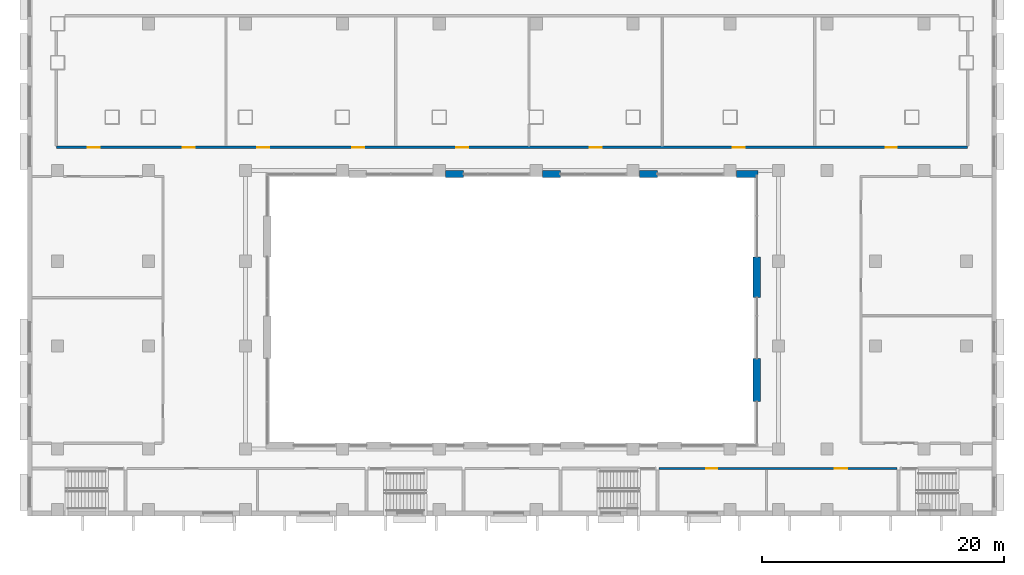
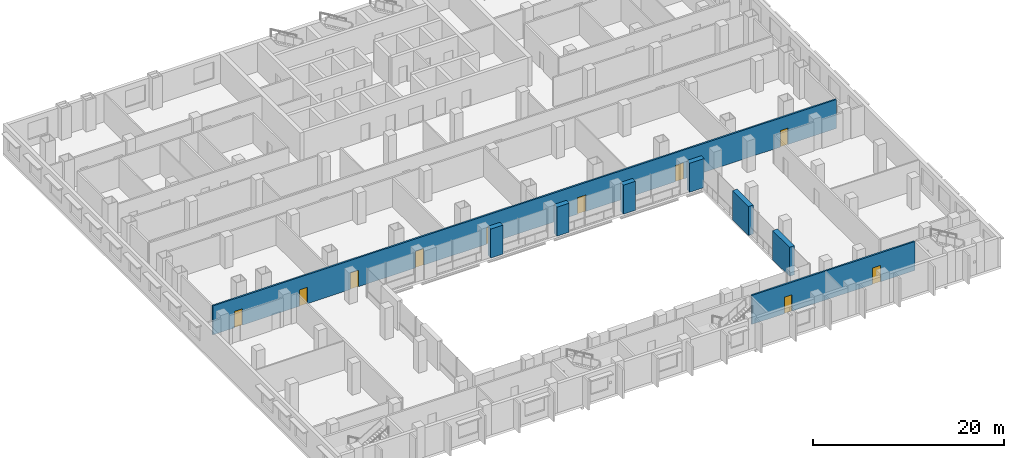
# One storey, part 9 of 25: 10 doors, 8 walls, 10 openings.
"""IFC4 building model written with IfcOpenShell, lengths in metres."""

from ifc_helpers import new_model, si_unit, direction, frame, frame_2d, origin, place, context, subcontext, project, spatial, rectangle, extrude, material, layer, layer_set, type_object, element, fill, save


model = new_model("IFC4")

# Units and contexts
model_context = context("Model", 3, precision=1e-05, world=origin(), true_north=direction((0.0, 1.0)))
body_context = subcontext(model_context, "Body", "Model", "MODEL_VIEW")
ifc_project = project(units=[si_unit("LENGTHUNIT", "METRE"), si_unit("AREAUNIT", "SQUARE_METRE"), si_unit("VOLUMEUNIT", "CUBIC_METRE"), si_unit("PLANEANGLEUNIT", "RADIAN"), si_unit("MASSUNIT", "GRAM", prefix="KILO")], contexts=[model_context])

# Site, building, storey
site_placement = place(None, origin())
site = spatial("IfcSite", under=ifc_project, at=site_placement, CompositionType="ELEMENT")
building_placement = place(site_placement, origin())
building = spatial("IfcBuilding", under=site, at=building_placement, Name="Vidyagriha Tower", CompositionType="ELEMENT")
storey_placement = place(building_placement, frame((0.0, 0.0, 18.0)))
storey = spatial("IfcBuildingStorey", under=building, at=storey_placement, Name="L04", CompositionType="ELEMENT", Elevation=18.0)

# Walls
ifc_material_1 = material(Name="Precast concrete C40/50 with brick facing", Category="concrete")
ifc_layer_1 = layer(ifc_material_1, 0.60009765625)
ifc_layer_set_1 = layer_set([ifc_layer_1], Name="Precast concrete C40/50 with brick facing")
wall_type_1 = type_object("IfcWallType", Name="Brick-faced precast wall 600", PredefinedType="STANDARD", material=ifc_layer_set_1)
for number, where, name in (
    (1, (-5.469970703125, -21.800048828125, 0.0), "Brick door bay wall L04 R09.8"),
    (2, (2.530029296875, -21.800048828125, 0.0), "Brick door bay wall L04 R09.12"),
    (3, (10.530029296875, -21.800048828125, 0.0), "Brick door bay wall L04 R09.16"),
):
    element("IfcWall", number, at=place(storey_placement, frame(where)), inside=storey, type_object=wall_type_1, Name=name, PredefinedType="STANDARD", context=body_context, shape_type="SweptSolid", body=[
        extrude(rectangle(XDim=1.469970703125, YDim=0.60009765625, at=frame_2d((0.73486328125, 0.0))), origin(), (0.0, 0.0, 1.0), 3.699951171875),
    ])
wall_1_placement = place(storey_placement, frame((18.530029296875, -21.800048828125, 0.0)))
element("IfcWall", 4, at=wall_1_placement, inside=storey, type_object=wall_type_1, Name="Brick door bay wall L04 R09.20", PredefinedType="STANDARD", context=body_context, shape_type="SweptSolid", body=[
    extrude(rectangle(XDim=1.75, YDim=0.60009765625, at=frame_2d((0.875, 0.0))), origin(), (0.0, 0.0, 1.0), 3.699951171875),
])
wall_2_placement = place(storey_placement, frame((20.199951171875, -28.626708984375, 0.0), z_axis=(0.0, 0.0, 1.0), x_axis=(0.0, -1.0, 0.0)))
element("IfcWall", 5, at=wall_2_placement, inside=storey, type_object=wall_type_1, Name="Brick door bay wall L04 R10.3", PredefinedType="STANDARD", context=body_context, shape_type="SweptSolid", body=[
    extrude(rectangle(XDim=3.373291015625, YDim=0.60009765625, at=frame_2d((1.6865234375, 0.0))), origin(), (0.0, 0.0, 1.0), 3.699951171875),
])
wall_3_placement = place(storey_placement, frame((20.199951171875, -37.0400390625, 0.0), z_axis=(0.0, 0.0, 1.0), x_axis=(0.0, -1.0, 0.0)))
element("IfcWall", 6, at=wall_3_placement, inside=storey, type_object=wall_type_1, Name="Brick door bay wall L04 R10.6", PredefinedType="STANDARD", context=body_context, shape_type="SweptSolid", body=[
    extrude(rectangle(XDim=3.5400390625, YDim=0.60009765625, at=frame_2d((1.77001953125, 0.0))), origin(), (0.0, 0.0, 1.0), 3.699951171875),
])

# Wall, openings, doors
ifc_material_2 = material(Name="Fire rated gypsum board on light gauge framing")
ifc_layer_2 = layer(ifc_material_2, 0.199951171875)
ifc_layer_set_2 = layer_set([ifc_layer_2], Name="Fire rated gypsum board on light gauge framing")
wall_type_2 = type_object("IfcWallType", Name="Fire Rated Corridor Wall 200", PredefinedType="PARTITIONING", material=ifc_layer_set_2)
wall_4_placement = place(storey_placement, frame((12.125, -46.10009765625, 0.0)))
wall_4 = element("IfcWall", 7, at=wall_4_placement, inside=storey, type_object=wall_type_2, Name="L04 Fire Rated Corridor Wall 200 002", PredefinedType="PARTITIONING", context=body_context, shape_type="SweptSolid", body=[
    extrude(rectangle(XDim=19.64990234375, YDim=0.199951171875, at=frame_2d((9.824951171875, 0.0))), origin(), (0.0, 0.0, 1.0), 3.699951171875),
])
opening_1_placement = place(wall_4_placement, frame((3.925048828125, 0.0, 0.0)))
opening_1 = element("IfcOpeningElement", 8, at=opening_1_placement, cuts=wall_4, Name="Opening D04-26", PredefinedType="OPENING", context=body_context, shape_type="SweptSolid", body=[
    extrude(rectangle(XDim=0.89990234375, YDim=2.10009765625, at=frame_2d((0.449951171875, 1.050048828125))), frame((0.0, 0.10986328125, 0.0), z_axis=(0.0, -1.0, 0.0), x_axis=(1.0, 0.0, 0.0)), (0.0, 0.0, 1.0), 0.219970703125),
])
opening_2_placement = place(wall_4_placement, frame((14.52490234375, 0.0, 0.0)))
opening_2 = element("IfcOpeningElement", 9, at=opening_2_placement, cuts=wall_4, Name="Opening D04-27", PredefinedType="OPENING", context=body_context, shape_type="SweptSolid", body=[
    extrude(rectangle(XDim=1.0, YDim=2.10009765625, at=frame_2d((0.5, 1.050048828125))), frame((0.0, 0.10986328125, 0.0), z_axis=(0.0, -1.0, 0.0), x_axis=(1.0, 0.0, 0.0)), (0.0, 0.0, 1.0), 0.219970703125),
])
ifc_material_3 = material(Name="Steel fire door set", Category="steel")
door_type_1 = type_object("IfcDoorType", Name="Podium Door 1000x2100 EI 30", OperationType="NOTDEFINED", PredefinedType="DOOR", material=ifc_material_3)
door_1_placement = place(opening_2_placement, frame((1.0, 0.0, 0.0), z_axis=(0.0, 0.0, 1.0), x_axis=(-1.0, 0.0, 0.0)))
door_1 = element("IfcDoor", 10, at=door_1_placement, inside=storey, type_object=door_type_1, Name="L04 door D04-27", OperationType="SINGLE_SWING_RIGHT", OverallHeight=2.10009765625, OverallWidth=1.0, PredefinedType="DOOR", context=body_context, shape_type="SweptSolid", body=[
    extrude(rectangle(XDim=1.0, YDim=2.10009765625, at=frame_2d((0.5, 1.050048828125))), frame((0.0, 0.02490234375, 0.0), z_axis=(0.0, -1.0, 0.0), x_axis=(1.0, 0.0, 0.0)), (0.0, 0.0, 1.0), 0.050048828125),
])
fill(opening_2, door_1)
ifc_material_4 = material(Name="Steel fire door set", Category="steel")
door_type_2 = type_object("IfcDoorType", Name="Podium Door 900x2100 EI 30", OperationType="NOTDEFINED", PredefinedType="DOOR", material=ifc_material_4)
door_2_placement = place(opening_1_placement, frame((0.89990234375, 0.0, 0.0), z_axis=(0.0, 0.0, 1.0), x_axis=(-1.0, 0.0, 0.0)))
door_2 = element("IfcDoor", 11, at=door_2_placement, inside=storey, type_object=door_type_2, Name="L04 door D04-26", OperationType="SINGLE_SWING_LEFT", OverallHeight=2.10009765625, OverallWidth=0.89990234375, PredefinedType="DOOR", context=body_context, shape_type="SweptSolid", body=[
    extrude(rectangle(XDim=0.89990234375, YDim=2.10009765625, at=frame_2d((0.449951171875, 1.050048828125))), frame((0.0, 0.02490234375, 0.0), z_axis=(0.0, -1.0, 0.0), x_axis=(1.0, 0.0, 0.0)), (0.0, 0.0, 1.0), 0.050048828125),
])
fill(opening_1, door_2)

wall_5_placement = place(storey_placement, frame((-37.599853515625, -19.60009765625, 0.0)))
wall_5 = element("IfcWall", 12, at=wall_5_placement, inside=storey, type_object=wall_type_2, Name="L04 Fire Rated Corridor Wall 200 021", PredefinedType="PARTITIONING", context=body_context, shape_type="SweptSolid", body=[
    extrude(rectangle(XDim=75.19970703125, YDim=0.199951171875, at=frame_2d((37.599853515625, 0.0))), origin(), (0.0, 0.0, 1.0), 3.699951171875),
])
opening_3_placement = place(wall_5_placement, frame((2.579833984375, 0.0, 0.0)))
opening_3 = element("IfcOpeningElement", 13, at=opening_3_placement, cuts=wall_5, Name="Opening D04-28", PredefinedType="OPENING", context=body_context, shape_type="SweptSolid", body=[
    extrude(rectangle(XDim=1.0, YDim=2.10009765625, at=frame_2d((0.5, 1.050048828125))), frame((0.0, 0.10986328125, 0.0), z_axis=(0.0, -1.0, 0.0), x_axis=(1.0, 0.0, 0.0)), (0.0, 0.0, 1.0), 0.219970703125),
])
opening_4_placement = place(wall_5_placement, frame((10.419921875, 0.0, 0.0)))
opening_4 = element("IfcOpeningElement", 14, at=opening_4_placement, cuts=wall_5, Name="Opening D04-29", PredefinedType="OPENING", context=body_context, shape_type="SweptSolid", body=[
    extrude(rectangle(XDim=1.0, YDim=2.10009765625, at=frame_2d((0.5, 1.050048828125))), frame((0.0, 0.10986328125, 0.0), z_axis=(0.0, -1.0, 0.0), x_axis=(1.0, 0.0, 0.0)), (0.0, 0.0, 1.0), 0.219970703125),
])
opening_5_placement = place(wall_5_placement, frame((16.579833984375, 0.0, 0.0)))
opening_5 = element("IfcOpeningElement", 15, at=opening_5_placement, cuts=wall_5, Name="Opening D04-30", PredefinedType="OPENING", context=body_context, shape_type="SweptSolid", body=[
    extrude(rectangle(XDim=1.0, YDim=2.10009765625, at=frame_2d((0.5, 1.050048828125))), frame((0.0, 0.10986328125, 0.0), z_axis=(0.0, -1.0, 0.0), x_axis=(1.0, 0.0, 0.0)), (0.0, 0.0, 1.0), 0.219970703125),
])
opening_6_placement = place(wall_5_placement, frame((24.419921875, 0.0, 0.0)))
opening_6 = element("IfcOpeningElement", 16, at=opening_6_placement, cuts=wall_5, Name="Opening D04-31", PredefinedType="OPENING", context=body_context, shape_type="SweptSolid", body=[
    extrude(rectangle(XDim=1.0, YDim=2.10009765625, at=frame_2d((0.5, 1.050048828125))), frame((0.0, 0.10986328125, 0.0), z_axis=(0.0, -1.0, 0.0), x_axis=(1.0, 0.0, 0.0)), (0.0, 0.0, 1.0), 0.219970703125),
])
opening_7_placement = place(wall_5_placement, frame((33.0, 0.0, 0.0)))
opening_7 = element("IfcOpeningElement", 17, at=opening_7_placement, cuts=wall_5, Name="Opening D04-32", PredefinedType="OPENING", context=body_context, shape_type="SweptSolid", body=[
    extrude(rectangle(XDim=1.0, YDim=2.10009765625, at=frame_2d((0.5, 1.050048828125))), frame((0.0, 0.10986328125, 0.0), z_axis=(0.0, -1.0, 0.0), x_axis=(1.0, 0.0, 0.0)), (0.0, 0.0, 1.0), 0.219970703125),
])
opening_8_placement = place(wall_5_placement, frame((44.0, 0.0, 0.0)))
opening_8 = element("IfcOpeningElement", 18, at=opening_8_placement, cuts=wall_5, Name="Opening D04-33", PredefinedType="OPENING", context=body_context, shape_type="SweptSolid", body=[
    extrude(rectangle(XDim=1.0, YDim=2.10009765625, at=frame_2d((0.5, 1.050048828125))), frame((0.0, 0.10986328125, 0.0), z_axis=(0.0, -1.0, 0.0), x_axis=(1.0, 0.0, 0.0)), (0.0, 0.0, 1.0), 0.219970703125),
])
opening_9_placement = place(wall_5_placement, frame((55.7998046875, 0.0, 0.0)))
opening_9 = element("IfcOpeningElement", 19, at=opening_9_placement, cuts=wall_5, Name="Opening D04-34", PredefinedType="OPENING", context=body_context, shape_type="SweptSolid", body=[
    extrude(rectangle(XDim=1.0, YDim=2.10009765625, at=frame_2d((0.5, 1.050048828125))), frame((0.0, 0.10986328125, 0.0), z_axis=(0.0, -1.0, 0.0), x_axis=(1.0, 0.0, 0.0)), (0.0, 0.0, 1.0), 0.219970703125),
])
opening_10_placement = place(wall_5_placement, frame((68.449951171875, 0.0, 0.0)))
opening_10 = element("IfcOpeningElement", 20, at=opening_10_placement, cuts=wall_5, Name="Opening D04-35", PredefinedType="OPENING", context=body_context, shape_type="SweptSolid", body=[
    extrude(rectangle(XDim=0.89990234375, YDim=2.10009765625, at=frame_2d((0.449951171875, 1.050048828125))), frame((0.0, 0.10986328125, 0.0), z_axis=(0.0, -1.0, 0.0), x_axis=(1.0, 0.0, 0.0)), (0.0, 0.0, 1.0), 0.219970703125),
])
door_3_placement = place(opening_7_placement, origin())
door_3 = element("IfcDoor", 21, at=door_3_placement, inside=storey, type_object=door_type_1, Name="L04 door D04-32", OperationType="SINGLE_SWING_LEFT", OverallHeight=2.10009765625, OverallWidth=1.0, PredefinedType="DOOR", context=body_context, shape_type="SweptSolid", body=[
    extrude(rectangle(XDim=1.0, YDim=2.10009765625, at=frame_2d((0.5, 1.050048828125))), frame((0.0, 0.02490234375, 0.0), z_axis=(0.0, -1.0, 0.0), x_axis=(1.0, 0.0, 0.0)), (0.0, 0.0, 1.0), 0.050048828125),
])
fill(opening_7, door_3)
door_4_placement = place(opening_8_placement, origin())
door_4 = element("IfcDoor", 22, at=door_4_placement, inside=storey, type_object=door_type_1, Name="L04 door D04-33", OperationType="SINGLE_SWING_RIGHT", OverallHeight=2.10009765625, OverallWidth=1.0, PredefinedType="DOOR", context=body_context, shape_type="SweptSolid", body=[
    extrude(rectangle(XDim=1.0, YDim=2.10009765625, at=frame_2d((0.5, 1.050048828125))), frame((0.0, 0.02490234375, 0.0), z_axis=(0.0, -1.0, 0.0), x_axis=(1.0, 0.0, 0.0)), (0.0, 0.0, 1.0), 0.050048828125),
])
fill(opening_8, door_4)
door_5_placement = place(opening_9_placement, origin())
door_5 = element("IfcDoor", 23, at=door_5_placement, inside=storey, type_object=door_type_1, Name="L04 door D04-34", OperationType="SINGLE_SWING_RIGHT", OverallHeight=2.10009765625, OverallWidth=1.0, PredefinedType="DOOR", context=body_context, shape_type="SweptSolid", body=[
    extrude(rectangle(XDim=1.0, YDim=2.10009765625, at=frame_2d((0.5, 1.050048828125))), frame((0.0, 0.02490234375, 0.0), z_axis=(0.0, -1.0, 0.0), x_axis=(1.0, 0.0, 0.0)), (0.0, 0.0, 1.0), 0.050048828125),
])
fill(opening_9, door_5)
ifc_material_5 = material(Name="Steel fire door set", Category="steel")
door_type_3 = type_object("IfcDoorType", Name="Podium Door 1000x2100 EI 60", OperationType="NOTDEFINED", PredefinedType="DOOR", material=ifc_material_5)
door_6_placement = place(opening_3_placement, origin())
door_6 = element("IfcDoor", 24, at=door_6_placement, inside=storey, type_object=door_type_3, Name="L04 door D04-28", OperationType="SINGLE_SWING_LEFT", OverallHeight=2.10009765625, OverallWidth=1.0, PredefinedType="DOOR", context=body_context, shape_type="SweptSolid", body=[
    extrude(rectangle(XDim=1.0, YDim=2.10009765625, at=frame_2d((0.5, 1.050048828125))), frame((0.0, 0.02490234375, 0.0), z_axis=(0.0, -1.0, 0.0), x_axis=(1.0, 0.0, 0.0)), (0.0, 0.0, 1.0), 0.050048828125),
])
fill(opening_3, door_6)
door_7_placement = place(opening_4_placement, origin())
door_7 = element("IfcDoor", 25, at=door_7_placement, inside=storey, type_object=door_type_3, Name="L04 door D04-29", OperationType="SINGLE_SWING_LEFT", OverallHeight=2.10009765625, OverallWidth=1.0, PredefinedType="DOOR", context=body_context, shape_type="SweptSolid", body=[
    extrude(rectangle(XDim=1.0, YDim=2.10009765625, at=frame_2d((0.5, 1.050048828125))), frame((0.0, 0.02490234375, 0.0), z_axis=(0.0, -1.0, 0.0), x_axis=(1.0, 0.0, 0.0)), (0.0, 0.0, 1.0), 0.050048828125),
])
fill(opening_4, door_7)
door_8_placement = place(opening_5_placement, origin())
door_8 = element("IfcDoor", 26, at=door_8_placement, inside=storey, type_object=door_type_3, Name="L04 door D04-30", OperationType="SINGLE_SWING_LEFT", OverallHeight=2.10009765625, OverallWidth=1.0, PredefinedType="DOOR", context=body_context, shape_type="SweptSolid", body=[
    extrude(rectangle(XDim=1.0, YDim=2.10009765625, at=frame_2d((0.5, 1.050048828125))), frame((0.0, 0.02490234375, 0.0), z_axis=(0.0, -1.0, 0.0), x_axis=(1.0, 0.0, 0.0)), (0.0, 0.0, 1.0), 0.050048828125),
])
fill(opening_5, door_8)
door_9_placement = place(opening_6_placement, origin())
door_9 = element("IfcDoor", 27, at=door_9_placement, inside=storey, type_object=door_type_3, Name="L04 door D04-31", OperationType="SINGLE_SWING_LEFT", OverallHeight=2.10009765625, OverallWidth=1.0, PredefinedType="DOOR", context=body_context, shape_type="SweptSolid", body=[
    extrude(rectangle(XDim=1.0, YDim=2.10009765625, at=frame_2d((0.5, 1.050048828125))), frame((0.0, 0.02490234375, 0.0), z_axis=(0.0, -1.0, 0.0), x_axis=(1.0, 0.0, 0.0)), (0.0, 0.0, 1.0), 0.050048828125),
])
fill(opening_6, door_9)
door_10_placement = place(opening_10_placement, origin())
door_10 = element("IfcDoor", 28, at=door_10_placement, inside=storey, type_object=door_type_2, Name="L04 door D04-35", OperationType="SINGLE_SWING_RIGHT", OverallHeight=2.10009765625, OverallWidth=0.89990234375, PredefinedType="DOOR", context=body_context, shape_type="SweptSolid", body=[
    extrude(rectangle(XDim=0.89990234375, YDim=2.10009765625, at=frame_2d((0.449951171875, 1.050048828125))), frame((0.0, 0.02490234375, 0.0), z_axis=(0.0, -1.0, 0.0), x_axis=(1.0, 0.0, 0.0)), (0.0, 0.0, 1.0), 0.050048828125),
])
fill(opening_10, door_10)

save(model, "model.ifc")
